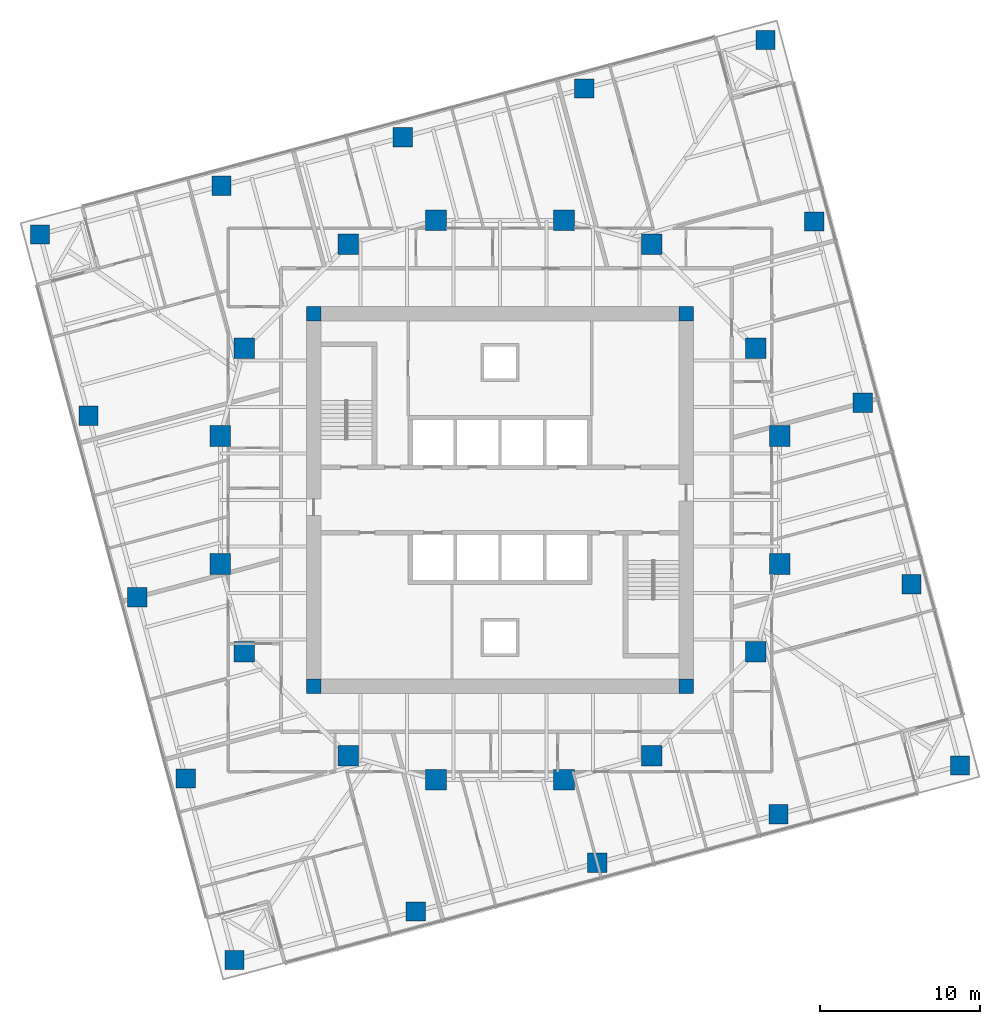
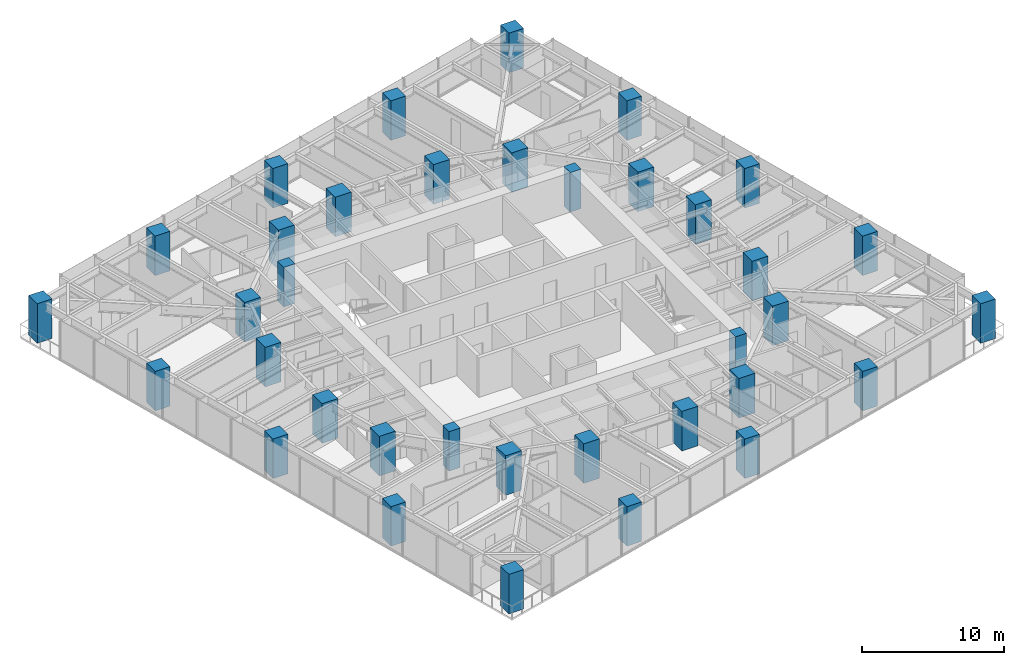
# One storey, part 1 of 13: 36 columns.
"""IFC4 building model written with IfcOpenShell, lengths in metres."""

from ifc_helpers import new_model, si_unit, direction, frame, origin, origin_2d, place, context, subcontext, project, spatial, rectangle, extrude, material, material_profile, profile_set, type_object, element, save


model = new_model("IFC4")

# Units and contexts
model_context = context("Model", 3, precision=1e-05, world=origin(), true_north=direction((0.0, 1.0)))
body_context = subcontext(model_context, "Body", "Model", "MODEL_VIEW")
ifc_project = project(units=[si_unit("LENGTHUNIT", "METRE"), si_unit("AREAUNIT", "SQUARE_METRE"), si_unit("VOLUMEUNIT", "CUBIC_METRE"), si_unit("PLANEANGLEUNIT", "RADIAN"), si_unit("MASSUNIT", "GRAM", prefix="KILO")], contexts=[model_context])

# Site, building, storey
site_placement = place(None, origin())
site = spatial("IfcSite", under=ifc_project, at=site_placement, CompositionType="ELEMENT")
building_placement = place(site_placement, origin())
building = spatial("IfcBuilding", under=site, at=building_placement, Name="Torsade Residences", CompositionType="ELEMENT")
storey_placement = place(building_placement, frame((0.0, 0.0, 118.39990234375)))
storey = spatial("IfcBuildingStorey", under=building, at=storey_placement, Name="L32", CompositionType="ELEMENT", Elevation=118.39990234375)

# Columns
ifc_material_1 = material(Name="Concrete 80 MPa", Category="concrete")
ifc_material_profile_1 = material_profile(ifc_material_1, rectangle(XDim=0.89990234375, YDim=0.89990234375, at=origin_2d()), Name="RC 900x900")
ifc_profile_set_1 = profile_set([ifc_material_profile_1], Name="Concrete 80 MPa")
column_type_1 = type_object("IfcColumnType", Name="CORE CORNER COLUMN RC 900x900", PredefinedType="COLUMN", material=ifc_profile_set_1)
for number, where, z_axis, x_axis, name in (
    (1, (28.35009765625, 18.35009765625, 0.0), (0.0, 0.0, 1.0), (1.0, 0.0, 0.0), "Core corner column CC1 L32"),
    (2, (51.64990234375, 18.35009765625, 0.0), (0.0, 0.0, 1.0), (1.0, 0.0, 0.0), "Core corner column CC2 L32"),
    (3, (51.64990234375, 41.64990234375, 0.0), (0.0, 0.0, 1.0), (1.0, 0.0, 0.0), "Core corner column CC3 L32"),
    (4, (28.35009765625, 41.64990234375, 0.0), (0.0, 0.0, 1.0), (1.0, 0.0, 0.0), "Core corner column CC4 L32"),
):
    element("IfcColumn", number, at=place(storey_placement, frame(where, z_axis=z_axis, x_axis=x_axis)), inside=storey, type_object=column_type_1, Name=name, PredefinedType="COLUMN", context=body_context, shape_type="SweptSolid", body=[
        extrude(rectangle(XDim=0.89990234375, YDim=0.89990234375, at=origin_2d()), origin(), (0.0, 0.0, 1.0), 3.400146484375),
    ])
ifc_material_2 = material(Name="Concrete 80 MPa", Category="concrete")
ifc_material_profile_2 = material_profile(ifc_material_2, rectangle(XDim=1.300048828125, YDim=1.300048828125, at=origin_2d()), Name="RC 1300x1300")
ifc_profile_set_2 = profile_set([ifc_material_profile_2], Name="Concrete 80 MPa")
column_type_2 = type_object("IfcColumnType", Name="INNER RING COLUMN RC 1300x1300", PredefinedType="COLUMN", material=ifc_profile_set_2)
for number, where, z_axis, x_axis, name in (
    (5, (57.5, 26.0, 0.0), (0.0, 0.0, 1.0), (1.0, 0.0, 0.0), "Inner ring column IR01 L32"),
    (6, (57.5, 34.0, 0.0), (0.0, 0.0, 1.0), (1.0, 0.0, 0.0), "Inner ring column IR02 L32"),
    (7, (56.0, 39.5, 0.0), (0.0, 0.0, 1.0), (1.0, 0.0, 0.0), "Inner ring column IR03 L32"),
    (8, (49.5, 46.0, 0.0), (0.0, 0.0, 1.0), (1.0, 0.0, 0.0), "Inner ring column IR04 L32"),
    (9, (44.0, 47.5, 0.0), (0.0, 0.0, 1.0), (1.0, 0.0, 0.0), "Inner ring column IR05 L32"),
    (10, (36.0, 47.5, 0.0), (0.0, 0.0, 1.0), (1.0, 0.0, 0.0), "Inner ring column IR06 L32"),
    (11, (30.5, 46.0, 0.0), (0.0, 0.0, 1.0), (1.0, 0.0, 0.0), "Inner ring column IR07 L32"),
    (12, (24.0, 39.5, 0.0), (0.0, 0.0, 1.0), (1.0, 0.0, 0.0), "Inner ring column IR08 L32"),
    (13, (22.5, 34.0, 0.0), (0.0, 0.0, 1.0), (1.0, 0.0, 0.0), "Inner ring column IR09 L32"),
    (14, (22.5, 26.0, 0.0), (0.0, 0.0, 1.0), (1.0, 0.0, 0.0), "Inner ring column IR10 L32"),
    (15, (24.0, 20.5, 0.0), (0.0, 0.0, 1.0), (1.0, 0.0, 0.0), "Inner ring column IR11 L32"),
    (16, (30.5, 14.0, 0.0), (0.0, 0.0, 1.0), (1.0, 0.0, 0.0), "Inner ring column IR12 L32"),
    (17, (36.0, 12.5, 0.0), (0.0, 0.0, 1.0), (1.0, 0.0, 0.0), "Inner ring column IR13 L32"),
    (18, (44.0, 12.5, 0.0), (0.0, 0.0, 1.0), (1.0, 0.0, 0.0), "Inner ring column IR14 L32"),
    (19, (49.5, 14.0, 0.0), (0.0, 0.0, 1.0), (1.0, 0.0, 0.0), "Inner ring column IR15 L32"),
    (20, (56.0, 20.5, 0.0), (0.0, 0.0, 1.0), (1.0, 0.0, 0.0), "Inner ring column IR16 L32"),
):
    element("IfcColumn", number, at=place(storey_placement, frame(where, z_axis=z_axis, x_axis=x_axis)), inside=storey, type_object=column_type_2, Name=name, PredefinedType="COLUMN", context=body_context, shape_type="SweptSolid", body=[
        extrude(rectangle(XDim=1.300048828125, YDim=1.300048828125, at=origin_2d()), origin(), (0.0, 0.0, 1.0), 3.400146484375),
    ])
ifc_material_3 = material(Name="Concrete 80 MPa", Category="concrete")
ifc_material_profile_3 = material_profile(ifc_material_3, rectangle(XDim=1.199951171875, YDim=1.199951171875, at=origin_2d()), Name="RC 1200x1200")
ifc_profile_set_3 = profile_set([ifc_material_profile_3], Name="Concrete 80 MPa")
column_type_3 = type_object("IfcColumnType", Name="TOWER COLUMN RC 1200x1200", PredefinedType="COLUMN", material=ifc_profile_set_3)
for number, where, z_axis, x_axis, name in (
    (21, (23.383056640625, 1.218505859375, 0.0), (0.0, 0.0, 1.0), (1.0, 0.0, 0.0), "Column TC4-01 L32"),
    (22, (34.732666015625, 4.259521484375, 0.0), (0.0, 0.0, 1.0), (1.0, 0.0, 0.0), "Column TC4-02 L32"),
    (23, (46.082275390625, 7.30078125, 0.0), (0.0, 0.0, 1.0), (1.0, 0.0, 0.0), "Column TC4-03 L32"),
    (24, (57.431884765625, 10.341796875, 0.0), (0.0, 0.0, 1.0), (1.0, 0.0, 0.0), "Column TC4-04 L32"),
    (25, (68.781494140625, 13.383056640625, 0.0), (0.0, 0.0, 1.0), (1.0, 0.0, 0.0), "Column TC4-05 L32"),
    (26, (65.740478515625, 24.732666015625, 0.0), (0.0, 0.0, 1.0), (1.0, 0.0, 0.0), "Column TC4-06 L32"),
    (27, (62.69921875, 36.082275390625, 0.0), (0.0, 0.0, 1.0), (1.0, 0.0, 0.0), "Column TC4-07 L32"),
    (28, (59.658203125, 47.431884765625, 0.0), (0.0, 0.0, 1.0), (1.0, 0.0, 0.0), "Column TC4-08 L32"),
    (29, (56.616943359375, 58.781494140625, 0.0), (0.0, 0.0, 1.0), (1.0, 0.0, 0.0), "Column TC4-09 L32"),
    (30, (45.267333984375, 55.740478515625, 0.0), (0.0, 0.0, 1.0), (1.0, 0.0, 0.0), "Column TC4-10 L32"),
    (31, (33.917724609375, 52.69921875, 0.0), (0.0, 0.0, 1.0), (1.0, 0.0, 0.0), "Column TC4-11 L32"),
    (32, (22.568115234375, 49.658203125, 0.0), (0.0, 0.0, 1.0), (1.0, 0.0, 0.0), "Column TC4-12 L32"),
    (33, (11.218505859375, 46.616943359375, 0.0), (0.0, 0.0, 1.0), (1.0, 0.0, 0.0), "Column TC4-13 L32"),
    (34, (14.259521484375, 35.267333984375, 0.0), (0.0, 0.0, 1.0), (1.0, 0.0, 0.0), "Column TC4-14 L32"),
    (35, (17.30078125, 23.917724609375, 0.0), (0.0, 0.0, 1.0), (1.0, 0.0, 0.0), "Column TC4-15 L32"),
    (36, (20.341796875, 12.568115234375, 0.0), (0.0, 0.0, 1.0), (1.0, 0.0, 0.0), "Column TC4-16 L32"),
):
    element("IfcColumn", number, at=place(storey_placement, frame(where, z_axis=z_axis, x_axis=x_axis)), inside=storey, type_object=column_type_3, Name=name, PredefinedType="COLUMN", context=body_context, shape_type="SweptSolid", body=[
        extrude(rectangle(XDim=1.199951171875, YDim=1.199951171875, at=origin_2d()), origin(), (0.0, 0.0, 1.0), 3.400146484375),
    ])

save(model, "model.ifc")
